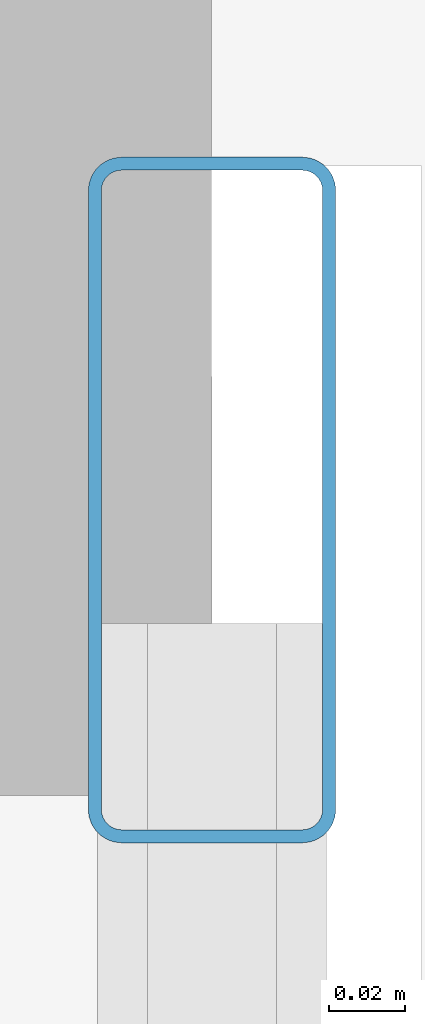
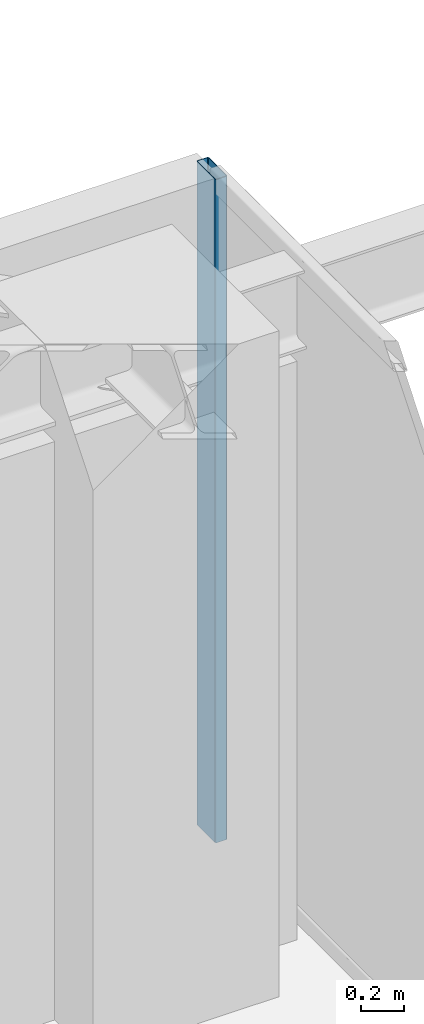
# One storey, part 25 of 39: 1 member, 1 element without a shape of its own.
"""IFC4 building model written with IfcOpenShell, lengths in metres."""

from ifc_helpers import new_model, si_unit, direction, frame, origin, origin_2d, place, context, subcontext, project, spatial, hollow_rectangle, extrude, source, transform, mapped, material, layer, layer_set, material_profile, profile_set, type_object, element, aggregate, save


model = new_model("IFC4")

# Units and contexts
model_context = context("Model", 3, precision=1e-05, world=origin(), true_north=direction((0.0, 1.0)))
body_context = subcontext(model_context, "Body", "Model", "MODEL_VIEW")
ifc_project = project(units=[si_unit("LENGTHUNIT", "METRE"), si_unit("AREAUNIT", "SQUARE_METRE"), si_unit("VOLUMEUNIT", "CUBIC_METRE"), si_unit("PLANEANGLEUNIT", "RADIAN"), si_unit("MASSUNIT", "GRAM", prefix="KILO")], contexts=[model_context])

# Site, building, storey
site_placement = place(None, origin())
site = spatial("IfcSite", under=ifc_project, at=site_placement, CompositionType="ELEMENT")
building_placement = place(site_placement, origin())
building = spatial("IfcBuilding", under=site, at=building_placement, Name="Serunith Strait Residences", CompositionType="ELEMENT")
storey_placement = place(building_placement, frame((0.0, 0.0, 329.89990234375)))
storey = spatial("IfcBuildingStorey", under=building, at=storey_placement, Name="L82", CompositionType="ELEMENT", Elevation=329.89990234375)

# Curtain wall, member
ifc_material = material(Name="Brushed Stainless-Silver Aluminium", Category="aluminium")
ifc_layer = layer(ifc_material, 0.199951171875, Name="Brushed Stainless-Silver Aluminium")
ifc_layer_set = layer_set([ifc_layer], Name="Brushed Stainless-Silver Aluminium")
curtain_wall_type = type_object("IfcCurtainWallType", Name="CW-SYS5", PredefinedType="NOTDEFINED", material=ifc_layer_set)
curtain_wall_placement = place(storey_placement, origin())
curtain_wall = element("IfcCurtainWall", 1, at=curtain_wall_placement, inside=storey, type_object=curtain_wall_type, Name="L82 E Unitised Fritted Curtain Wall", PredefinedType="NOTDEFINED")
ifc_material_profile = material_profile(ifc_material, hollow_rectangle(XDim=0.06494140625, YDim=0.179931640625, WallThickness=0.00341796875, InnerFilletRadius=0.00537109375, OuterFilletRadius=0.0087890625, at=origin_2d()), Name="ALU 180x65x3.5")
ifc_profile_set = profile_set([ifc_material_profile], Name="Brushed Stainless-Silver Aluminium")
member_type = type_object("IfcMemberType", Name="CW-SYS5-MULL", PredefinedType="MULLION", material=ifc_profile_set)
shared_shape = source(origin(), body_context, "Body", "SweptSolid", [
    extrude(hollow_rectangle(XDim=0.06494140625, YDim=0.179931640625, WallThickness=0.00341796875, InnerFilletRadius=0.00537109375, OuterFilletRadius=0.0087890625, at=origin_2d()), origin(), (0.0, 0.0, 1.0), 3.775146484375),
])
member_placement = place(storey_placement, frame((55.60009765625, 40.367431640625, 0.0), z_axis=(0.0, 0.0, 1.0), x_axis=(-1.0, 0.0, 0.0)))
member = element("IfcMember", 2, at=member_placement, type_object=member_type, Name="CW-5 mullion 2", PredefinedType="MULLION", context=body_context, shape_type="MappedRepresentation", body=[
    mapped(shared_shape, transform((0.0, 0.0, 0.0), scale=1.0)),
])
aggregate(curtain_wall, [member])

save(model, "model.ifc")
